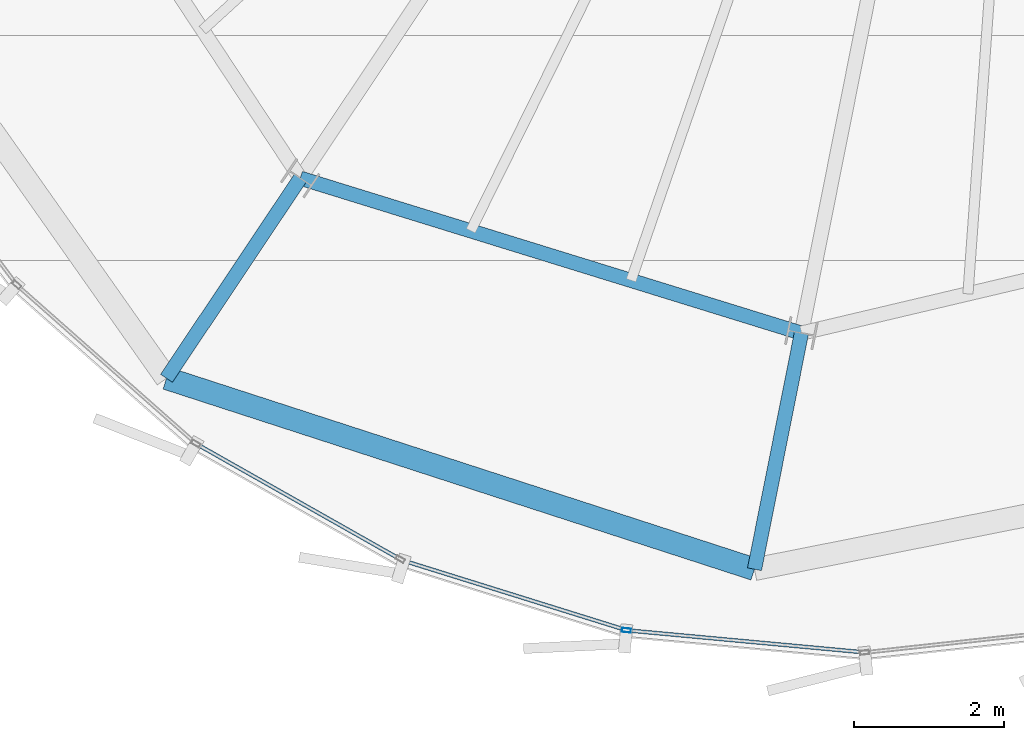
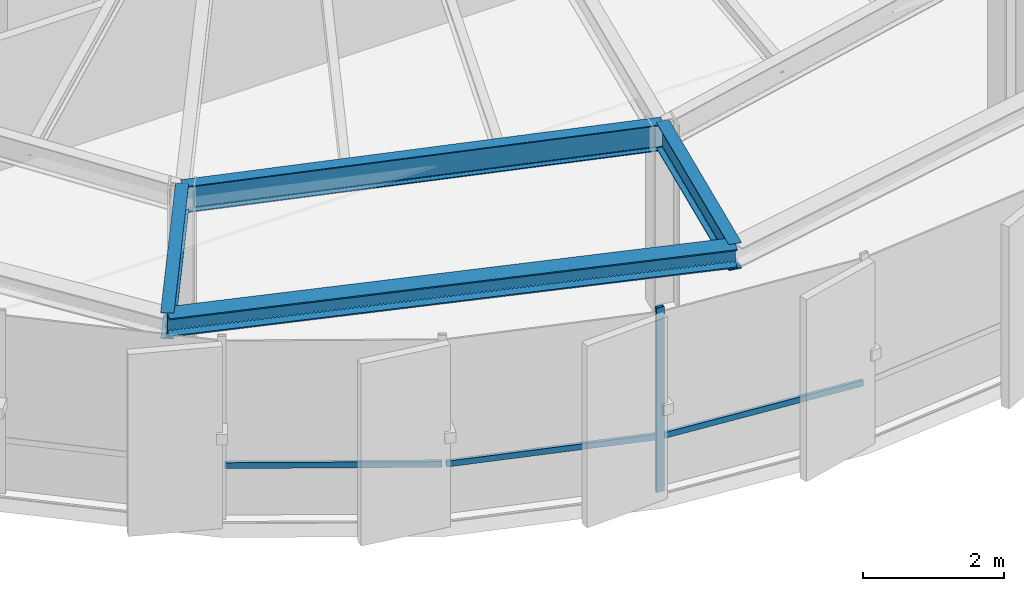
# One storey, part 3 of 31: 4 beams, 4 members, 2 elements without a shape of their own.
"""IFC4 building model written with IfcOpenShell, lengths in metres."""

from ifc_helpers import new_model, si_unit, direction, frame, origin, origin_2d, place, context, subcontext, project, spatial, hollow_rectangle, i_section, extrude, source, transform, mapped, material, layer, layer_set, material_profile, profile_set, type_object, element, aggregate, save


model = new_model("IFC4")

# Units and contexts
model_context = context("Model", 3, precision=1e-05, world=origin(), true_north=direction((0.0, 1.0)))
body_context = subcontext(model_context, "Body", "Model", "MODEL_VIEW")
ifc_project = project(units=[si_unit("LENGTHUNIT", "METRE"), si_unit("AREAUNIT", "SQUARE_METRE"), si_unit("VOLUMEUNIT", "CUBIC_METRE"), si_unit("PLANEANGLEUNIT", "RADIAN"), si_unit("MASSUNIT", "GRAM", prefix="KILO"), si_unit("THERMODYNAMICTEMPERATUREUNIT", "KELVIN")], contexts=[model_context])

# Site, building, storey
site_placement = place(None, origin())
site = spatial("IfcSite", under=ifc_project, at=site_placement, CompositionType="ELEMENT")
building_placement = place(site_placement, origin())
building = spatial("IfcBuilding", under=site, at=building_placement, Name="Kethvar Cultural Tower", CompositionType="ELEMENT")
storey_placement = place(building_placement, frame((0.0, 0.0, 300.85009765625)))
storey = spatial("IfcBuildingStorey", under=building, at=storey_placement, Name="L80", CompositionType="ELEMENT", Elevation=300.85009765625)

# Beams
ifc_material_1 = material(Name="Steel S355J2", Category="steel")
ifc_material_profile_1 = material_profile(ifc_material_1, i_section(OverallWidth=0.18994140625, OverallDepth=0.449951171875, WebThickness=0.009521484375, FlangeThickness=0.0146484375, FilletRadius=0.02099609375, at=origin_2d()), Name="Steel S355J2 — IPE450")
ifc_profile_set_1 = profile_set([ifc_material_profile_1], Name="Steel S355J2 — IPE450")
beam_type_1 = type_object("IfcBeamType", Name="BM-IPE450", PredefinedType="BEAM", material=ifc_profile_set_1)
shared_shape_1 = source(origin(), body_context, "Body", "SweptSolid", [
    extrude(i_section(OverallWidth=0.18994140625, OverallDepth=0.449951171875, WebThickness=0.009521484375, FlangeThickness=0.0146484375, FilletRadius=0.02099609375, at=origin_2d()), origin(), (0.0, 0.0, 1.0), 3.199951171875),
])
beam_1_placement = place(storey_placement, frame((36.731201171875, 12.73095703125, 2.9580078125), z_axis=(-0.555580212716, -0.831462943996, 0.0), x_axis=(0.831462943996, -0.555580212716, 0.0)))
element("IfcBeam", 1, at=beam_1_placement, inside=storey, type_object=beam_type_1, Name="L80 Perimeter Cantilever Beam RC-11", PredefinedType="BEAM", context=body_context, shape_type="MappedRepresentation", body=[
    mapped(shared_shape_1, transform((0.0, 0.0, 0.0), scale=1.0)),
])
shared_shape_2 = source(origin(), body_context, "Body", "SweptSolid", [
    extrude(i_section(OverallWidth=0.18994140625, OverallDepth=0.449951171875, WebThickness=0.009521484375, FlangeThickness=0.0146484375, FilletRadius=0.02099609375, at=origin_2d()), origin(), (0.0, 0.0, 1.0), 3.2001953125),
])
beam_2_placement = place(storey_placement, frame((43.392822265625, 10.67138671875, 2.9580078125), z_axis=(-0.195074368086, -0.980788453702, 0.0), x_axis=(0.980788453702, -0.195074368086, 0.0)))
element("IfcBeam", 2, at=beam_2_placement, inside=storey, type_object=beam_type_1, Name="L80 Perimeter Cantilever Beam RC-12", PredefinedType="BEAM", context=body_context, shape_type="MappedRepresentation", body=[
    mapped(shared_shape_2, transform((0.0, 0.0, 0.0), scale=1.0)),
])
shared_shape_3 = source(origin(), body_context, "Body", "SweptSolid", [
    extrude(i_section(OverallWidth=0.18994140625, OverallDepth=0.449951171875, WebThickness=0.009521484375, FlangeThickness=0.0146484375, FilletRadius=0.02099609375, at=origin_2d()), origin(), (0.0, 0.0, 1.0), 6.97265625),
])
beam_3_placement = place(storey_placement, frame((36.731201171875, 12.73095703125, 2.9580078125), z_axis=(0.955381444404, -0.295374839295, 0.0), x_axis=(0.295374839295, 0.955381444404, 0.0)))
element("IfcBeam", 3, at=beam_3_placement, inside=storey, type_object=beam_type_1, Name="L80 Column Ring Tie Beam CR-11", PredefinedType="BEAM", context=body_context, shape_type="MappedRepresentation", body=[
    mapped(shared_shape_3, transform((0.0, 0.0, 0.0), scale=1.0)),
])
ifc_material_profile_2 = material_profile(ifc_material_1, i_section(OverallWidth=0.300048828125, OverallDepth=0.320068359375, WebThickness=0.011474609375, FlangeThickness=0.0205078125, FilletRadius=0.027099609375, at=origin_2d()), Name="Steel S355J2 — HEB320")
ifc_profile_set_2 = profile_set([ifc_material_profile_2], Name="Steel S355J2 — HEB320")
beam_type_2 = type_object("IfcBeamType", Name="BM-SP320", PredefinedType="SPANDREL", material=ifc_profile_set_2)
shared_shape_4 = source(origin(), body_context, "Body", "SweptSolid", [
    extrude(i_section(OverallWidth=0.300048828125, OverallDepth=0.320068359375, WebThickness=0.011474609375, FlangeThickness=0.0205078125, FilletRadius=0.027099609375, at=origin_2d()), origin(), (0.0, 0.0, 1.0), 8.216796875),
])
beam_4_placement = place(storey_placement, frame((34.953369140625, 10.0703125, 3.02294921875), z_axis=(0.951117661456, -0.30882874553, 0.0), x_axis=(0.30882874553, 0.951117661456, 0.0)))
element("IfcBeam", 4, at=beam_4_placement, inside=storey, type_object=beam_type_2, Name="L80 Perimeter Spandrel Beam SP-11", PredefinedType="SPANDREL", context=body_context, shape_type="MappedRepresentation", body=[
    mapped(shared_shape_4, transform((0.0, 0.0, 0.0), scale=1.0)),
])

# Curtain wall, member
ifc_material_2 = material(Name="Aluminium 6063-T6", Category="aluminium")
ifc_layer = layer(ifc_material_2, 0.179931640625, Name="Aluminium 6063-T6", Category="aluminium")
ifc_layer_set = layer_set([ifc_layer], Name="Aluminium 6063-T6 (180 mm)")
curtain_wall_type = type_object("IfcCurtainWallType", Name="CW-SYS-05-Z56", PredefinedType="NOTDEFINED", material=ifc_layer_set)
curtain_wall_1_placement = place(storey_placement, origin())
curtain_wall_1 = element("IfcCurtainWall", 5, at=curtain_wall_1_placement, inside=storey, type_object=curtain_wall_type, Name="L80 Curtain Wall Run 04", PredefinedType="NOTDEFINED")
ifc_material_profile_3 = material_profile(ifc_material_2, hollow_rectangle(XDim=0.054931640625, YDim=0.1201171875, WallThickness=0.00390625, at=origin_2d()), Name="Aluminium 6063-T6 — RHS120x55x4")
ifc_profile_set_3 = profile_set([ifc_material_profile_3], Name="Aluminium 6063-T6 — RHS120x55x4")
member_type_1 = type_object("IfcMemberType", Name="CW-SYS-05-Z56-MUL", PredefinedType="MULLION", material=ifc_profile_set_3)
shared_shape_5 = source(origin(), body_context, "Body", "SweptSolid", [
    extrude(hollow_rectangle(XDim=0.054931640625, YDim=0.1201171875, WallThickness=0.00390625, at=origin_2d()), origin(), (0.0, 0.0, 1.0), 3.184814453125),
])
member_1_placement = place(storey_placement, frame((41.065185546875, 6.7216796875, 0.0), z_axis=(0.0, 0.0, 1.0), x_axis=(0.092335830041, 0.99572792192, 0.0)))
member_1 = element("IfcMember", 6, at=member_1_placement, type_object=member_type_1, Name="CW-L80-R04 Mullion 2", PredefinedType="MULLION", context=body_context, shape_type="MappedRepresentation", body=[
    mapped(shared_shape_5, transform((0.0, 0.0, 0.0), scale=1.0)),
])

curtain_wall_2_placement = place(storey_placement, origin())
curtain_wall_2 = element("IfcCurtainWall", 7, at=curtain_wall_2_placement, inside=storey, type_object=curtain_wall_type, Name="L80 Curtain Wall Run 03", PredefinedType="NOTDEFINED")
ifc_material_profile_4 = material_profile(ifc_material_2, hollow_rectangle(XDim=0.050048828125, YDim=0.10009765625, WallThickness=0.00390625, at=origin_2d()), Name="Aluminium 6063-T6 — RHS100x50x4")
ifc_profile_set_4 = profile_set([ifc_material_profile_4], Name="Aluminium 6063-T6 — RHS100x50x4")
member_type_2 = type_object("IfcMemberType", Name="CW-SYS-05-Z56-TRN", PredefinedType="USERDEFINED", material=ifc_profile_set_4)
shared_shape_6 = source(origin(), body_context, "Body", "SweptSolid", [
    extrude(hollow_rectangle(XDim=0.050048828125, YDim=0.10009765625, WallThickness=0.00390625, at=origin_2d()), origin(), (0.0, 0.0, 1.0), 3.077880859375),
])
member_2_placement = place(storey_placement, frame((35.377685546875, 9.18310546875, 0.949951171875), z_axis=(0.870397327557, -0.49234996921, 0.0), x_axis=(0.49234996921, 0.870397327557, 0.0)))
member_2 = element("IfcMember", 8, at=member_2_placement, type_object=member_type_2, Name="CW-L80-R03 Transom 6", ObjectType="TRANSOM", PredefinedType="USERDEFINED", context=body_context, shape_type="MappedRepresentation", body=[
    mapped(shared_shape_6, transform((0.0, 0.0, 0.0), scale=1.0)),
])
aggregate(curtain_wall_2, [member_2])

# Member
shared_shape_7 = source(origin(), body_context, "Body", "SweptSolid", [
    extrude(hollow_rectangle(XDim=0.050048828125, YDim=0.10009765625, WallThickness=0.00390625, at=origin_2d()), origin(), (0.0, 0.0, 1.0), 3.07763671875),
])
member_3_placement = place(storey_placement, frame((38.109619140625, 7.64501953125, 0.949951171875), z_axis=(0.954704139193, -0.297556728385, 0.0), x_axis=(0.297556728385, 0.954704139193, 0.0)))
member_3 = element("IfcMember", 9, at=member_3_placement, type_object=member_type_2, Name="CW-L80-R04 Transom 1", ObjectType="TRANSOM", PredefinedType="USERDEFINED", context=body_context, shape_type="MappedRepresentation", body=[
    mapped(shared_shape_7, transform((0.0, 0.0, 0.0), scale=1.0)),
])

shared_shape_8 = source(origin(), body_context, "Body", "SweptSolid", [
    extrude(hollow_rectangle(XDim=0.050048828125, YDim=0.10009765625, WallThickness=0.00390625, at=origin_2d()), origin(), (0.0, 0.0, 1.0), 3.123046875),
])
member_4_placement = place(storey_placement, frame((41.104736328125, 6.718017578125, 0.949951171875), z_axis=(0.99572164729, -0.092403469192, 0.0), x_axis=(0.092403469192, 0.99572164729, 0.0)))
member_4 = element("IfcMember", 10, at=member_4_placement, type_object=member_type_2, Name="CW-L80-R04 Transom 2", ObjectType="TRANSOM", PredefinedType="USERDEFINED", context=body_context, shape_type="MappedRepresentation", body=[
    mapped(shared_shape_8, transform((0.0, 0.0, 0.0), scale=1.0)),
])

aggregate(curtain_wall_1, [member_1, member_3, member_4])

save(model, "model.ifc")
